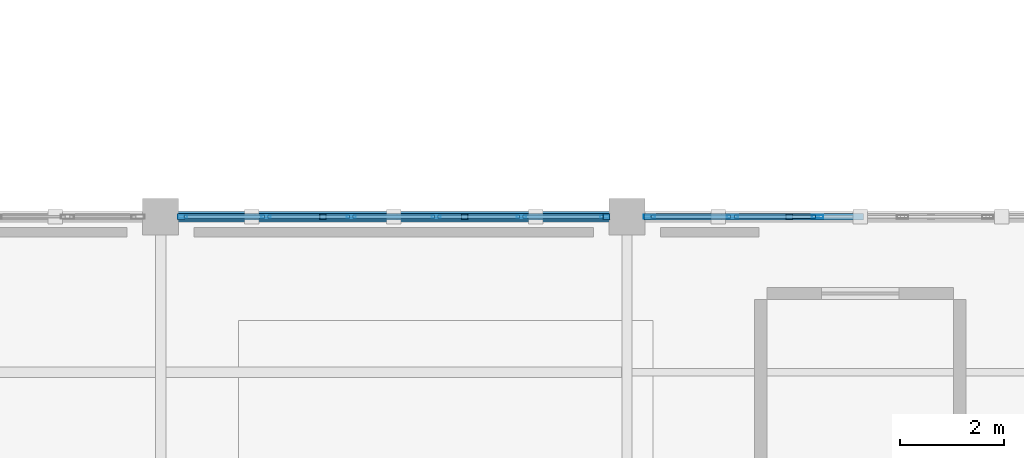
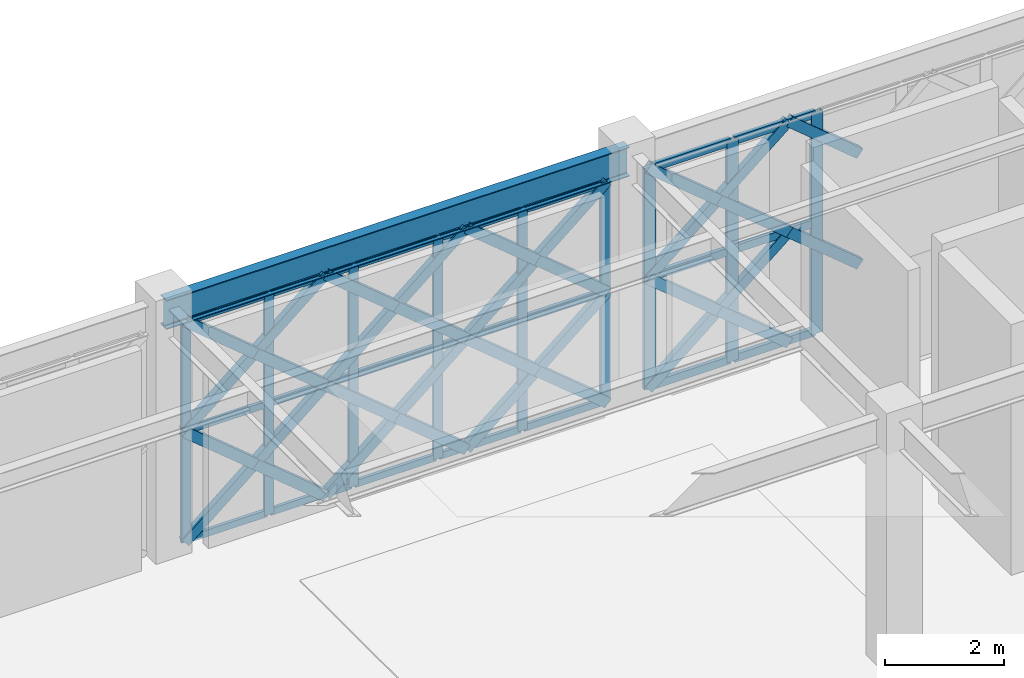
# One storey, part 15 of 72: 56 members, 1 beam, 2 elements without a shape of their own.
"""IFC4 building model written with IfcOpenShell, lengths in metres."""

from ifc_helpers import new_model, si_unit, direction, frame, origin, origin_2d, place, context, subcontext, project, spatial, hollow_rectangle, i_section, extrude, material, material_profile, profile_set, type_object, element, aggregate, save


model = new_model("IFC4")

# Units and contexts
model_context = context("Model", 3, precision=1e-05, world=origin(), true_north=direction((0.0, 1.0)))
body_context = subcontext(model_context, "Body", "Model", "MODEL_VIEW")
ifc_project = project(units=[si_unit("LENGTHUNIT", "METRE"), si_unit("AREAUNIT", "SQUARE_METRE"), si_unit("VOLUMEUNIT", "CUBIC_METRE"), si_unit("PLANEANGLEUNIT", "RADIAN"), si_unit("MASSUNIT", "GRAM", prefix="KILO")], contexts=[model_context])

# Site, building, storey
site_placement = place(None, origin())
site = spatial("IfcSite", under=ifc_project, at=site_placement, CompositionType="ELEMENT")
building_placement = place(site_placement, origin())
building = spatial("IfcBuilding", under=site, at=building_placement, Name="Haizhuo Lancet Aquarium", CompositionType="ELEMENT")
storey_placement = place(building_placement, frame((0.0, 0.0, 21.60009765625)))
storey = spatial("IfcBuildingStorey", under=building, at=storey_placement, Name="L04", CompositionType="ELEMENT", Elevation=21.60009765625)

# Beam
ifc_material_1 = material(Name="Steel S355", Category="steel")
ifc_material_profile_1 = material_profile(ifc_material_1, i_section(OverallWidth=0.199951171875, OverallDepth=0.60009765625, WebThickness=0.010986328125, FlangeThickness=0.01708984375, FilletRadius=0.02197265625, at=origin_2d()), Name="HN 600x200x11x17")
ifc_profile_set_1 = profile_set([ifc_material_profile_1], Name="Steel S355")
beam_type = type_object("IfcBeamType", Name="BM-ST-HN600", PredefinedType="BEAM", material=ifc_profile_set_1)
beam_placement = place(storey_placement, frame((-72.0, -9.0, 4.849853515625), z_axis=(1.0, 0.0, 0.0), x_axis=(0.0, 1.0, 0.0)))
element("IfcBeam", 1, at=beam_placement, inside=storey, type_object=beam_type, Name="L04 V6 primary girder BM-L04-V6-008", PredefinedType="BEAM", context=body_context, shape_type="SweptSolid", body=[
    extrude(i_section(OverallWidth=0.199951171875, OverallDepth=0.60009765625, WebThickness=0.010986328125, FlangeThickness=0.01708984375, FilletRadius=0.02197265625, at=origin_2d()), origin(), (0.0, 0.0, 1.0), 9.0),
])

# Curtain wall, members
ifc_material_2 = material(Name="Aluminium 6063-T6", Category="aluminium")
curtain_wall_type = type_object("IfcCurtainWallType", Name="CWO-8210x4550", PredefinedType="NOTDEFINED", material=ifc_material_2)
curtain_wall_1_placement = place(storey_placement, origin())
curtain_wall_1 = element("IfcCurtainWall", 2, at=curtain_wall_1_placement, inside=storey, type_object=curtain_wall_type, Name="L04 curtain wall CW-V6-L04-247", PredefinedType="NOTDEFINED")
ifc_material_profile_2 = material_profile(ifc_material_2, hollow_rectangle(XDim=0.06494140625, YDim=0.179931640625, WallThickness=0.00390625, at=origin_2d()), Name="ALU-M 65x180x4")
ifc_profile_set_2 = profile_set([ifc_material_profile_2], Name="Aluminium 6063-T6")
member_type_1 = type_object("IfcMemberType", Name="CW-MUL-1", PredefinedType="MULLION", material=ifc_profile_set_2)
member_1_placement = place(storey_placement, frame((-71.572998046875, -9.0, 0.0), z_axis=(0.0, 0.0, 1.0), x_axis=(0.0, 1.0, 0.0)))
member_1 = element("IfcMember", 3, at=member_1_placement, type_object=member_type_1, Name="CWO-82x45 mullion 1", PredefinedType="MULLION", context=body_context, shape_type="SweptSolid", body=[
    extrude(hollow_rectangle(XDim=0.06494140625, YDim=0.179931640625, WallThickness=0.00390625, at=origin_2d()), origin(), (0.0, 0.0, 1.0), 4.5498046875),
])
member_2_placement = place(storey_placement, frame((-69.962890625, -9.0, 0.0), z_axis=(0.0, 0.0, 1.0), x_axis=(0.0, 1.0, 0.0)))
member_2 = element("IfcMember", 4, at=member_2_placement, type_object=member_type_1, Name="CWO-82x45 mullion 2", PredefinedType="MULLION", context=body_context, shape_type="SweptSolid", body=[
    extrude(hollow_rectangle(XDim=0.06494140625, YDim=0.179931640625, WallThickness=0.00390625, at=origin_2d()), origin(), (0.0, 0.0, 1.0), 4.5498046875),
])
member_3_placement = place(storey_placement, frame((-68.321044921875, -9.0, 0.0), z_axis=(0.0, 0.0, 1.0), x_axis=(0.0, 1.0, 0.0)))
member_3 = element("IfcMember", 5, at=member_3_placement, type_object=member_type_1, Name="CWO-82x45 mullion 3", PredefinedType="MULLION", context=body_context, shape_type="SweptSolid", body=[
    extrude(hollow_rectangle(XDim=0.06494140625, YDim=0.179931640625, WallThickness=0.00390625, at=origin_2d()), origin(), (0.0, 0.0, 1.0), 4.5498046875),
])
member_4_placement = place(storey_placement, frame((-66.678955078125, -9.0, 0.0), z_axis=(0.0, 0.0, 1.0), x_axis=(0.0, 1.0, 0.0)))
member_4 = element("IfcMember", 6, at=member_4_placement, type_object=member_type_1, Name="CWO-82x45 mullion 4", PredefinedType="MULLION", context=body_context, shape_type="SweptSolid", body=[
    extrude(hollow_rectangle(XDim=0.06494140625, YDim=0.179931640625, WallThickness=0.00390625, at=origin_2d()), origin(), (0.0, 0.0, 1.0), 4.5498046875),
])
member_5_placement = place(storey_placement, frame((-65.037109375, -9.0, 0.0), z_axis=(0.0, 0.0, 1.0), x_axis=(0.0, 1.0, 0.0)))
member_5 = element("IfcMember", 7, at=member_5_placement, type_object=member_type_1, Name="CWO-82x45 mullion 5", PredefinedType="MULLION", context=body_context, shape_type="SweptSolid", body=[
    extrude(hollow_rectangle(XDim=0.06494140625, YDim=0.179931640625, WallThickness=0.00390625, at=origin_2d()), origin(), (0.0, 0.0, 1.0), 4.5498046875),
])
member_6_placement = place(storey_placement, frame((-63.427978515625, -9.0, 0.0), z_axis=(0.0, 0.0, 1.0), x_axis=(0.0, 1.0, 0.0)))
member_6 = element("IfcMember", 8, at=member_6_placement, type_object=member_type_1, Name="CWO-82x45 mullion 6", PredefinedType="MULLION", context=body_context, shape_type="SweptSolid", body=[
    extrude(hollow_rectangle(XDim=0.06494140625, YDim=0.179931640625, WallThickness=0.00390625, at=origin_2d()), origin(), (0.0, 0.0, 1.0), 4.5498046875),
])

curtain_wall_2_placement = place(storey_placement, origin())
curtain_wall_2 = element("IfcCurtainWall", 9, at=curtain_wall_2_placement, inside=storey, type_object=curtain_wall_type, Name="L04 curtain wall CW-V6-L04-248", PredefinedType="NOTDEFINED")
ifc_material_profile_3 = material_profile(ifc_material_2, hollow_rectangle(XDim=0.074951171875, YDim=0.219970703125, WallThickness=0.0048828125, at=origin_2d()), Name="ALU-M 75x220x5")
ifc_profile_set_3 = profile_set([ifc_material_profile_3], Name="Aluminium 6063-T6")
member_type_2 = type_object("IfcMemberType", Name="CW-MUL-2", PredefinedType="MULLION", material=ifc_profile_set_3)
member_7_placement = place(storey_placement, frame((-62.56689453125, -9.0, 0.0), z_axis=(0.0, 0.0, 1.0), x_axis=(0.0, 1.0, 0.0)))
member_7 = element("IfcMember", 10, at=member_7_placement, type_object=member_type_2, Name="CWO-82x45 mullion 1", PredefinedType="MULLION", context=body_context, shape_type="SweptSolid", body=[
    extrude(hollow_rectangle(XDim=0.074951171875, YDim=0.219970703125, WallThickness=0.0048828125, at=origin_2d()), origin(), (0.0, 0.0, 1.0), 4.5498046875),
])
member_8_placement = place(storey_placement, frame((-60.962890625, -9.0, 0.0), z_axis=(0.0, 0.0, 1.0), x_axis=(0.0, 1.0, 0.0)))
member_8 = element("IfcMember", 11, at=member_8_placement, type_object=member_type_2, Name="CWO-82x45 mullion 2", PredefinedType="MULLION", context=body_context, shape_type="SweptSolid", body=[
    extrude(hollow_rectangle(XDim=0.074951171875, YDim=0.219970703125, WallThickness=0.0048828125, at=origin_2d()), origin(), (0.0, 0.0, 1.0), 4.5498046875),
])
member_9_placement = place(storey_placement, frame((-59.321044921875, -9.0, 0.0), z_axis=(0.0, 0.0, 1.0), x_axis=(0.0, 1.0, 0.0)))
member_9 = element("IfcMember", 12, at=member_9_placement, type_object=member_type_2, Name="CWO-82x45 mullion 3", PredefinedType="MULLION", context=body_context, shape_type="SweptSolid", body=[
    extrude(hollow_rectangle(XDim=0.074951171875, YDim=0.219970703125, WallThickness=0.0048828125, at=origin_2d()), origin(), (0.0, 0.0, 1.0), 4.5498046875),
])

# Member
ifc_material_profile_4 = material_profile(ifc_material_2, hollow_rectangle(XDim=0.06494140625, YDim=0.139892578125, WallThickness=0.00390625, at=origin_2d()), Name="ALU-T 65x140x4")
ifc_profile_set_4 = profile_set([ifc_material_profile_4], Name="Aluminium 6063-T6")
member_type_3 = type_object("IfcMemberType", Name="CW-TRN-1", PredefinedType="NOTDEFINED", material=ifc_profile_set_4)
member_10_placement = place(storey_placement, frame((-71.5400390625, -9.0, 0.032958984375), z_axis=(1.0, 0.0, 0.0), x_axis=(0.0, 1.0, 0.0)))
member_10 = element("IfcMember", 13, at=member_10_placement, type_object=member_type_3, Name="CWO-82x45 transom 1.1", ObjectType="TRANSOM", PredefinedType="USERDEFINED", context=body_context, shape_type="SweptSolid", body=[
    extrude(hollow_rectangle(XDim=0.06494140625, YDim=0.139892578125, WallThickness=0.00390625, at=origin_2d()), origin(), (0.0, 0.0, 1.0), 1.5439453125),
])

member_11_placement = place(storey_placement, frame((-71.5400390625, -9.0, 2.27490234375), z_axis=(1.0, 0.0, 0.0), x_axis=(0.0, 1.0, 0.0)))
member_11 = element("IfcMember", 14, at=member_11_placement, type_object=member_type_3, Name="CWO-82x45 transom 1.2", ObjectType="TRANSOM", PredefinedType="USERDEFINED", context=body_context, shape_type="SweptSolid", body=[
    extrude(hollow_rectangle(XDim=0.06494140625, YDim=0.139892578125, WallThickness=0.00390625, at=origin_2d()), origin(), (0.0, 0.0, 1.0), 1.5439453125),
])

member_12_placement = place(storey_placement, frame((-71.5400390625, -9.0, 4.516845703125), z_axis=(1.0, 0.0, 0.0), x_axis=(0.0, 1.0, 0.0)))
member_12 = element("IfcMember", 15, at=member_12_placement, type_object=member_type_3, Name="CWO-82x45 transom 1.3", ObjectType="TRANSOM", PredefinedType="USERDEFINED", context=body_context, shape_type="SweptSolid", body=[
    extrude(hollow_rectangle(XDim=0.06494140625, YDim=0.139892578125, WallThickness=0.00390625, at=origin_2d()), origin(), (0.0, 0.0, 1.0), 1.5439453125),
])

member_13_placement = place(storey_placement, frame((-69.930908203125, -9.0, 0.032958984375), z_axis=(1.0, 0.0, 0.0), x_axis=(0.0, 1.0, 0.0)))
member_13 = element("IfcMember", 16, at=member_13_placement, type_object=member_type_3, Name="CWO-82x45 transom 2.1", ObjectType="TRANSOM", PredefinedType="USERDEFINED", context=body_context, shape_type="SweptSolid", body=[
    extrude(hollow_rectangle(XDim=0.06494140625, YDim=0.139892578125, WallThickness=0.00390625, at=origin_2d()), origin(), (0.0, 0.0, 1.0), 1.577880859375),
])

member_14_placement = place(storey_placement, frame((-69.930908203125, -9.0, 2.27490234375), z_axis=(1.0, 0.0, 0.0), x_axis=(0.0, 1.0, 0.0)))
member_14 = element("IfcMember", 17, at=member_14_placement, type_object=member_type_3, Name="CWO-82x45 transom 2.2", ObjectType="TRANSOM", PredefinedType="USERDEFINED", context=body_context, shape_type="SweptSolid", body=[
    extrude(hollow_rectangle(XDim=0.06494140625, YDim=0.139892578125, WallThickness=0.00390625, at=origin_2d()), origin(), (0.0, 0.0, 1.0), 1.577880859375),
])

member_15_placement = place(storey_placement, frame((-69.930908203125, -9.0, 4.516845703125), z_axis=(1.0, 0.0, 0.0), x_axis=(0.0, 1.0, 0.0)))
member_15 = element("IfcMember", 18, at=member_15_placement, type_object=member_type_3, Name="CWO-82x45 transom 2.3", ObjectType="TRANSOM", PredefinedType="USERDEFINED", context=body_context, shape_type="SweptSolid", body=[
    extrude(hollow_rectangle(XDim=0.06494140625, YDim=0.139892578125, WallThickness=0.00390625, at=origin_2d()), origin(), (0.0, 0.0, 1.0), 1.577880859375),
])

member_16_placement = place(storey_placement, frame((-68.2880859375, -9.0, 0.032958984375), z_axis=(1.0, 0.0, 0.0), x_axis=(0.0, 1.0, 0.0)))
member_16 = element("IfcMember", 19, at=member_16_placement, type_object=member_type_3, Name="CWO-82x45 transom 3.1", ObjectType="TRANSOM", PredefinedType="USERDEFINED", context=body_context, shape_type="SweptSolid", body=[
    extrude(hollow_rectangle(XDim=0.06494140625, YDim=0.139892578125, WallThickness=0.00390625, at=origin_2d()), origin(), (0.0, 0.0, 1.0), 1.576171875),
])

member_17_placement = place(storey_placement, frame((-68.2880859375, -9.0, 2.27490234375), z_axis=(1.0, 0.0, 0.0), x_axis=(0.0, 1.0, 0.0)))
member_17 = element("IfcMember", 20, at=member_17_placement, type_object=member_type_3, Name="CWO-82x45 transom 3.2", ObjectType="TRANSOM", PredefinedType="USERDEFINED", context=body_context, shape_type="SweptSolid", body=[
    extrude(hollow_rectangle(XDim=0.06494140625, YDim=0.139892578125, WallThickness=0.00390625, at=origin_2d()), origin(), (0.0, 0.0, 1.0), 1.576171875),
])

member_18_placement = place(storey_placement, frame((-68.2880859375, -9.0, 4.516845703125), z_axis=(1.0, 0.0, 0.0), x_axis=(0.0, 1.0, 0.0)))
member_18 = element("IfcMember", 21, at=member_18_placement, type_object=member_type_3, Name="CWO-82x45 transom 3.3", ObjectType="TRANSOM", PredefinedType="USERDEFINED", context=body_context, shape_type="SweptSolid", body=[
    extrude(hollow_rectangle(XDim=0.06494140625, YDim=0.139892578125, WallThickness=0.00390625, at=origin_2d()), origin(), (0.0, 0.0, 1.0), 1.576171875),
])

member_19_placement = place(storey_placement, frame((-66.64697265625, -9.0, 0.032958984375), z_axis=(1.0, 0.0, 0.0), x_axis=(0.0, 1.0, 0.0)))
member_19 = element("IfcMember", 22, at=member_19_placement, type_object=member_type_3, Name="CWO-82x45 transom 4.1", ObjectType="TRANSOM", PredefinedType="USERDEFINED", context=body_context, shape_type="SweptSolid", body=[
    extrude(hollow_rectangle(XDim=0.06494140625, YDim=0.139892578125, WallThickness=0.00390625, at=origin_2d()), origin(), (0.0, 0.0, 1.0), 1.576904296875),
])

member_20_placement = place(storey_placement, frame((-66.64697265625, -9.0, 2.27490234375), z_axis=(1.0, 0.0, 0.0), x_axis=(0.0, 1.0, 0.0)))
member_20 = element("IfcMember", 23, at=member_20_placement, type_object=member_type_3, Name="CWO-82x45 transom 4.2", ObjectType="TRANSOM", PredefinedType="USERDEFINED", context=body_context, shape_type="SweptSolid", body=[
    extrude(hollow_rectangle(XDim=0.06494140625, YDim=0.139892578125, WallThickness=0.00390625, at=origin_2d()), origin(), (0.0, 0.0, 1.0), 1.576904296875),
])

member_21_placement = place(storey_placement, frame((-66.64697265625, -9.0, 4.516845703125), z_axis=(1.0, 0.0, 0.0), x_axis=(0.0, 1.0, 0.0)))
member_21 = element("IfcMember", 24, at=member_21_placement, type_object=member_type_3, Name="CWO-82x45 transom 4.3", ObjectType="TRANSOM", PredefinedType="USERDEFINED", context=body_context, shape_type="SweptSolid", body=[
    extrude(hollow_rectangle(XDim=0.06494140625, YDim=0.139892578125, WallThickness=0.00390625, at=origin_2d()), origin(), (0.0, 0.0, 1.0), 1.576904296875),
])

member_22_placement = place(storey_placement, frame((-65.0048828125, -9.0, 0.032958984375), z_axis=(1.0, 0.0, 0.0), x_axis=(0.0, 1.0, 0.0)))
member_22 = element("IfcMember", 25, at=member_22_placement, type_object=member_type_3, Name="CWO-82x45 transom 5.1", ObjectType="TRANSOM", PredefinedType="USERDEFINED", context=body_context, shape_type="SweptSolid", body=[
    extrude(hollow_rectangle(XDim=0.06494140625, YDim=0.139892578125, WallThickness=0.00390625, at=origin_2d()), origin(), (0.0, 0.0, 1.0), 1.544921875),
])

member_23_placement = place(storey_placement, frame((-65.0048828125, -9.0, 2.27490234375), z_axis=(1.0, 0.0, 0.0), x_axis=(0.0, 1.0, 0.0)))
member_23 = element("IfcMember", 26, at=member_23_placement, type_object=member_type_3, Name="CWO-82x45 transom 5.2", ObjectType="TRANSOM", PredefinedType="USERDEFINED", context=body_context, shape_type="SweptSolid", body=[
    extrude(hollow_rectangle(XDim=0.06494140625, YDim=0.139892578125, WallThickness=0.00390625, at=origin_2d()), origin(), (0.0, 0.0, 1.0), 1.544921875),
])

member_24_placement = place(storey_placement, frame((-65.0048828125, -9.0, 4.516845703125), z_axis=(1.0, 0.0, 0.0), x_axis=(0.0, 1.0, 0.0)))
member_24 = element("IfcMember", 27, at=member_24_placement, type_object=member_type_3, Name="CWO-82x45 transom 5.3", ObjectType="TRANSOM", PredefinedType="USERDEFINED", context=body_context, shape_type="SweptSolid", body=[
    extrude(hollow_rectangle(XDim=0.06494140625, YDim=0.139892578125, WallThickness=0.00390625, at=origin_2d()), origin(), (0.0, 0.0, 1.0), 1.544921875),
])

aggregate(curtain_wall_1, [member_1, member_2, member_3, member_4, member_5, member_6, member_10, member_11, member_12, member_13, member_14, member_15, member_16, member_17, member_18, member_19, member_20, member_21, member_22, member_23, member_24])

ifc_material_profile_5 = material_profile(ifc_material_2, hollow_rectangle(XDim=0.074951171875, YDim=0.159912109375, WallThickness=0.00390625, at=origin_2d()), Name="ALU-T 75x160x4")
ifc_profile_set_5 = profile_set([ifc_material_profile_5], Name="Aluminium 6063-T6")
member_type_4 = type_object("IfcMemberType", Name="CW-TRN-2", PredefinedType="NOTDEFINED", material=ifc_profile_set_5)
member_25_placement = place(storey_placement, frame((-62.530029296875, -9.0, 0.037841796875), z_axis=(1.0, 0.0, 0.0), x_axis=(0.0, 1.0, 0.0)))
member_25 = element("IfcMember", 28, at=member_25_placement, type_object=member_type_4, Name="CWO-82x45 transom 1.1", ObjectType="TRANSOM", PredefinedType="USERDEFINED", context=body_context, shape_type="SweptSolid", body=[
    extrude(hollow_rectangle(XDim=0.074951171875, YDim=0.159912109375, WallThickness=0.00390625, at=origin_2d()), origin(), (0.0, 0.0, 1.0), 1.530029296875),
])

member_26_placement = place(storey_placement, frame((-62.530029296875, -9.0, 2.27490234375), z_axis=(1.0, 0.0, 0.0), x_axis=(0.0, 1.0, 0.0)))
member_26 = element("IfcMember", 29, at=member_26_placement, type_object=member_type_4, Name="CWO-82x45 transom 1.2", ObjectType="TRANSOM", PredefinedType="USERDEFINED", context=body_context, shape_type="SweptSolid", body=[
    extrude(hollow_rectangle(XDim=0.074951171875, YDim=0.159912109375, WallThickness=0.00390625, at=origin_2d()), origin(), (0.0, 0.0, 1.0), 1.530029296875),
])

member_27_placement = place(storey_placement, frame((-62.530029296875, -9.0, 4.511962890625), z_axis=(1.0, 0.0, 0.0), x_axis=(0.0, 1.0, 0.0)))
member_27 = element("IfcMember", 30, at=member_27_placement, type_object=member_type_4, Name="CWO-82x45 transom 1.3", ObjectType="TRANSOM", PredefinedType="USERDEFINED", context=body_context, shape_type="SweptSolid", body=[
    extrude(hollow_rectangle(XDim=0.074951171875, YDim=0.159912109375, WallThickness=0.00390625, at=origin_2d()), origin(), (0.0, 0.0, 1.0), 1.530029296875),
])

member_28_placement = place(storey_placement, frame((-60.925048828125, -9.0, 0.037841796875), z_axis=(1.0, 0.0, 0.0), x_axis=(0.0, 1.0, 0.0)))
member_28 = element("IfcMember", 31, at=member_28_placement, type_object=member_type_4, Name="CWO-82x45 transom 2.1", ObjectType="TRANSOM", PredefinedType="USERDEFINED", context=body_context, shape_type="SweptSolid", body=[
    extrude(hollow_rectangle(XDim=0.074951171875, YDim=0.159912109375, WallThickness=0.00390625, at=origin_2d()), origin(), (0.0, 0.0, 1.0), 1.567138671875),
])

member_29_placement = place(storey_placement, frame((-60.925048828125, -9.0, 2.27490234375), z_axis=(1.0, 0.0, 0.0), x_axis=(0.0, 1.0, 0.0)))
member_29 = element("IfcMember", 32, at=member_29_placement, type_object=member_type_4, Name="CWO-82x45 transom 2.2", ObjectType="TRANSOM", PredefinedType="USERDEFINED", context=body_context, shape_type="SweptSolid", body=[
    extrude(hollow_rectangle(XDim=0.074951171875, YDim=0.159912109375, WallThickness=0.00390625, at=origin_2d()), origin(), (0.0, 0.0, 1.0), 1.567138671875),
])

member_30_placement = place(storey_placement, frame((-60.925048828125, -9.0, 4.511962890625), z_axis=(1.0, 0.0, 0.0), x_axis=(0.0, 1.0, 0.0)))
member_30 = element("IfcMember", 33, at=member_30_placement, type_object=member_type_4, Name="CWO-82x45 transom 2.3", ObjectType="TRANSOM", PredefinedType="USERDEFINED", context=body_context, shape_type="SweptSolid", body=[
    extrude(hollow_rectangle(XDim=0.074951171875, YDim=0.159912109375, WallThickness=0.00390625, at=origin_2d()), origin(), (0.0, 0.0, 1.0), 1.567138671875),
])

aggregate(curtain_wall_2, [member_7, member_8, member_9, member_25, member_26, member_27, member_28, member_29, member_30])

# Members
ifc_material_profile_6 = material_profile(ifc_material_1, hollow_rectangle(XDim=0.1201171875, YDim=0.199951171875, WallThickness=0.008056640625, at=origin_2d()), Name="RHS 120x200x8")
ifc_profile_set_6 = profile_set([ifc_material_profile_6], Name="Steel S355")
member_type_5 = type_object("IfcMemberType", Name="MEM-LB-RHS120x200", PredefinedType="BRACE", material=ifc_profile_set_6)
member_31_placement = place(storey_placement, frame((-71.60498046875, -9.0, 0.0), z_axis=(0.769047183609, 0.0, 0.639192012922), x_axis=(0.0, 1.0, 0.0)))
element("IfcMember", 34, at=member_31_placement, inside=storey, type_object=member_type_5, Name="Gothic lancet continuous diagonal brace CW-V6-L04-247 1A", PredefinedType="BRACE", context=body_context, shape_type="SweptSolid", body=[
    extrude(hollow_rectangle(XDim=0.1201171875, YDim=0.199951171875, WallThickness=0.008056640625, at=origin_2d()), origin(), (0.0, 0.0, 1.0), 3.55908203125),
])
member_32_placement = place(storey_placement, frame((-68.867919921875, -9.0, 0.0), z_axis=(-0.769052432892, 0.0, 0.639185697167), x_axis=(0.0, -1.0, 0.0)))
element("IfcMember", 35, at=member_32_placement, inside=storey, type_object=member_type_5, Name="Gothic lancet split diagonal brace CW-V6-L04-247 1B1", PredefinedType="BRACE", context=body_context, shape_type="SweptSolid", body=[
    extrude(hollow_rectangle(XDim=0.1201171875, YDim=0.199951171875, WallThickness=0.008056640625, at=origin_2d()), origin(), (0.0, 0.0, 1.0), 1.7802734375),
])
member_33_placement = place(storey_placement, frame((-70.237060546875, -9.0, 1.137939453125), z_axis=(-0.769041929661, 0.0, 0.639198334184), x_axis=(0.0, -1.0, 0.0)))
element("IfcMember", 36, at=member_33_placement, inside=storey, type_object=member_type_5, Name="Gothic lancet split diagonal brace CW-V6-L04-247 1B2", PredefinedType="BRACE", context=body_context, shape_type="SweptSolid", body=[
    extrude(hollow_rectangle(XDim=0.1201171875, YDim=0.199951171875, WallThickness=0.008056640625, at=origin_2d()), origin(), (0.0, 0.0, 1.0), 1.77880859375),
])
member_34_placement = place(storey_placement, frame((-71.60498046875, -9.0, 2.27490234375), z_axis=(0.769047183609, 0.0, 0.639192012922), x_axis=(0.0, 1.0, 0.0)))
element("IfcMember", 37, at=member_34_placement, inside=storey, type_object=member_type_5, Name="Gothic lancet continuous diagonal brace CW-V6-L04-247 2A", PredefinedType="BRACE", context=body_context, shape_type="SweptSolid", body=[
    extrude(hollow_rectangle(XDim=0.1201171875, YDim=0.199951171875, WallThickness=0.008056640625, at=origin_2d()), origin(), (0.0, 0.0, 1.0), 3.55908203125),
])
member_35_placement = place(storey_placement, frame((-68.867919921875, -9.0, 2.27490234375), z_axis=(-0.769322103073, 0.0, 0.638861097363), x_axis=(0.0, -1.0, 0.0)))
element("IfcMember", 38, at=member_35_placement, inside=storey, type_object=member_type_5, Name="Gothic lancet split diagonal brace CW-V6-L04-247 2B1", PredefinedType="BRACE", context=body_context, shape_type="SweptSolid", body=[
    extrude(hollow_rectangle(XDim=0.1201171875, YDim=0.199951171875, WallThickness=0.008056640625, at=origin_2d()), origin(), (0.0, 0.0, 1.0), 1.77978515625),
])
member_36_placement = place(storey_placement, frame((-70.237060546875, -9.0, 3.411865234375), z_axis=(-0.768772073165, 0.0, 0.639522868646), x_axis=(0.0, -1.0, 0.0)))
element("IfcMember", 39, at=member_36_placement, inside=storey, type_object=member_type_5, Name="Gothic lancet split diagonal brace CW-V6-L04-247 2B2", PredefinedType="BRACE", context=body_context, shape_type="SweptSolid", body=[
    extrude(hollow_rectangle(XDim=0.1201171875, YDim=0.199951171875, WallThickness=0.008056640625, at=origin_2d()), origin(), (0.0, 0.0, 1.0), 1.779296875),
])
member_37_placement = place(storey_placement, frame((-68.867919921875, -9.0, 0.0), z_axis=(0.768906994858, 0.0, 0.639360644127), x_axis=(0.0, 1.0, 0.0)))
element("IfcMember", 40, at=member_37_placement, inside=storey, type_object=member_type_5, Name="Gothic lancet continuous diagonal brace CW-V6-L04-247 3A", PredefinedType="BRACE", context=body_context, shape_type="SweptSolid", body=[
    extrude(hollow_rectangle(XDim=0.1201171875, YDim=0.199951171875, WallThickness=0.008056640625, at=origin_2d()), origin(), (0.0, 0.0, 1.0), 3.55810546875),
])
member_38_placement = place(storey_placement, frame((-66.132080078125, -9.0, 0.0), z_axis=(-0.768772073165, 0.0, 0.639522868646), x_axis=(0.0, -1.0, 0.0)))
element("IfcMember", 41, at=member_38_placement, inside=storey, type_object=member_type_5, Name="Gothic lancet split diagonal brace CW-V6-L04-247 3B1", PredefinedType="BRACE", context=body_context, shape_type="SweptSolid", body=[
    extrude(hollow_rectangle(XDim=0.1201171875, YDim=0.199951171875, WallThickness=0.008056640625, at=origin_2d()), origin(), (0.0, 0.0, 1.0), 1.779296875),
])
member_39_placement = place(storey_placement, frame((-67.5, -9.0, 1.137939453125), z_axis=(-0.769041929661, 0.0, 0.639198334184), x_axis=(0.0, -1.0, 0.0)))
element("IfcMember", 42, at=member_39_placement, inside=storey, type_object=member_type_5, Name="Gothic lancet split diagonal brace CW-V6-L04-247 3B2", PredefinedType="BRACE", context=body_context, shape_type="SweptSolid", body=[
    extrude(hollow_rectangle(XDim=0.1201171875, YDim=0.199951171875, WallThickness=0.008056640625, at=origin_2d()), origin(), (0.0, 0.0, 1.0), 1.77880859375),
])
member_40_placement = place(storey_placement, frame((-68.867919921875, -9.0, 2.27490234375), z_axis=(0.768906994858, 0.0, 0.639360644127), x_axis=(0.0, 1.0, 0.0)))
element("IfcMember", 43, at=member_40_placement, inside=storey, type_object=member_type_5, Name="Gothic lancet continuous diagonal brace CW-V6-L04-247 4A", PredefinedType="BRACE", context=body_context, shape_type="SweptSolid", body=[
    extrude(hollow_rectangle(XDim=0.1201171875, YDim=0.199951171875, WallThickness=0.008056640625, at=origin_2d()), origin(), (0.0, 0.0, 1.0), 3.55810546875),
])
member_41_placement = place(storey_placement, frame((-66.132080078125, -9.0, 2.27490234375), z_axis=(-0.769041929661, 0.0, 0.639198334184), x_axis=(0.0, -1.0, 0.0)))
element("IfcMember", 44, at=member_41_placement, inside=storey, type_object=member_type_5, Name="Gothic lancet split diagonal brace CW-V6-L04-247 4B1", PredefinedType="BRACE", context=body_context, shape_type="SweptSolid", body=[
    extrude(hollow_rectangle(XDim=0.1201171875, YDim=0.199951171875, WallThickness=0.008056640625, at=origin_2d()), origin(), (0.0, 0.0, 1.0), 1.77880859375),
])
member_42_placement = place(storey_placement, frame((-67.5, -9.0, 3.411865234375), z_axis=(-0.768772073165, 0.0, 0.639522868646), x_axis=(0.0, -1.0, 0.0)))
element("IfcMember", 45, at=member_42_placement, inside=storey, type_object=member_type_5, Name="Gothic lancet split diagonal brace CW-V6-L04-247 4B2", PredefinedType="BRACE", context=body_context, shape_type="SweptSolid", body=[
    extrude(hollow_rectangle(XDim=0.1201171875, YDim=0.199951171875, WallThickness=0.008056640625, at=origin_2d()), origin(), (0.0, 0.0, 1.0), 1.779296875),
])
member_43_placement = place(storey_placement, frame((-66.132080078125, -9.0, 0.0), z_axis=(0.769047183609, 0.0, 0.639192012922), x_axis=(0.0, 1.0, 0.0)))
element("IfcMember", 46, at=member_43_placement, inside=storey, type_object=member_type_5, Name="Gothic lancet continuous diagonal brace CW-V6-L04-247 5A", PredefinedType="BRACE", context=body_context, shape_type="SweptSolid", body=[
    extrude(hollow_rectangle(XDim=0.1201171875, YDim=0.199951171875, WallThickness=0.008056640625, at=origin_2d()), origin(), (0.0, 0.0, 1.0), 3.55908203125),
])
member_44_placement = place(storey_placement, frame((-63.39501953125, -9.0, 0.0), z_axis=(-0.768996396425, 0.0, 0.639253112848), x_axis=(0.0, -1.0, 0.0)))
element("IfcMember", 47, at=member_44_placement, inside=storey, type_object=member_type_5, Name="Gothic lancet split diagonal brace CW-V6-L04-247 5B1", PredefinedType="BRACE", context=body_context, shape_type="SweptSolid", body=[
    extrude(hollow_rectangle(XDim=0.1201171875, YDim=0.199951171875, WallThickness=0.008056640625, at=origin_2d()), origin(), (0.0, 0.0, 1.0), 1.780029296875),
])
member_45_placement = place(storey_placement, frame((-64.763916015625, -9.0, 1.137939453125), z_axis=(-0.769097999835, 0.0, 0.639130868171), x_axis=(0.0, -1.0, 0.0)))
element("IfcMember", 48, at=member_45_placement, inside=storey, type_object=member_type_5, Name="Gothic lancet split diagonal brace CW-V6-L04-247 5B2", PredefinedType="BRACE", context=body_context, shape_type="SweptSolid", body=[
    extrude(hollow_rectangle(XDim=0.1201171875, YDim=0.199951171875, WallThickness=0.008056640625, at=origin_2d()), origin(), (0.0, 0.0, 1.0), 1.77880859375),
])
member_46_placement = place(storey_placement, frame((-66.132080078125, -9.0, 2.27490234375), z_axis=(0.769047183609, 0.0, 0.639192012922), x_axis=(0.0, 1.0, 0.0)))
element("IfcMember", 49, at=member_46_placement, inside=storey, type_object=member_type_5, Name="Gothic lancet continuous diagonal brace CW-V6-L04-247 6A", PredefinedType="BRACE", context=body_context, shape_type="SweptSolid", body=[
    extrude(hollow_rectangle(XDim=0.1201171875, YDim=0.199951171875, WallThickness=0.008056640625, at=origin_2d()), origin(), (0.0, 0.0, 1.0), 3.55908203125),
])
for number, where, z_axis, x_axis, name in (
    (50, (-63.39501953125, -9.0, 2.27490234375), (-0.76926610387, 0.0, 0.638928526078), (0.0, -1.0, 0.0), "Gothic lancet split diagonal brace CW-V6-L04-247 6B1"),
    (51, (-64.763916015625, -9.0, 3.411865234375), (-0.768828180601, 0.0, 0.639455415736), (0.0, -1.0, 0.0), "Gothic lancet split diagonal brace CW-V6-L04-247 6B2"),
):
    element("IfcMember", number, at=place(storey_placement, frame(where, z_axis=z_axis, x_axis=x_axis)), inside=storey, type_object=member_type_5, Name=name, PredefinedType="BRACE", context=body_context, shape_type="SweptSolid", body=[
        extrude(hollow_rectangle(XDim=0.1201171875, YDim=0.199951171875, WallThickness=0.008056640625, at=origin_2d()), origin(), (0.0, 0.0, 1.0), 1.779541015625),
    ])
member_47_placement = place(storey_placement, frame((-62.60498046875, -9.0, 0.0), z_axis=(0.769047183609, 0.0, 0.639192012922), x_axis=(0.0, 1.0, 0.0)))
element("IfcMember", 52, at=member_47_placement, inside=storey, type_object=member_type_5, Name="Gothic lancet continuous diagonal brace CW-V6-L04-248 1A", PredefinedType="BRACE", context=body_context, shape_type="SweptSolid", body=[
    extrude(hollow_rectangle(XDim=0.1201171875, YDim=0.199951171875, WallThickness=0.008056640625, at=origin_2d()), origin(), (0.0, 0.0, 1.0), 3.55908203125),
])
for number, where, z_axis, x_axis, name in (
    (53, (-59.867919921875, -9.0, 0.0), (-0.768828180601, 0.0, 0.639455415736), (0.0, -1.0, 0.0), "Gothic lancet split diagonal brace CW-V6-L04-248 1B1"),
    (54, (-61.236083984375, -9.0, 1.137939453125), (-0.76926610387, 0.0, 0.638928526078), (0.0, -1.0, 0.0), "Gothic lancet split diagonal brace CW-V6-L04-248 1B2"),
):
    element("IfcMember", number, at=place(storey_placement, frame(where, z_axis=z_axis, x_axis=x_axis)), inside=storey, type_object=member_type_5, Name=name, PredefinedType="BRACE", context=body_context, shape_type="SweptSolid", body=[
        extrude(hollow_rectangle(XDim=0.1201171875, YDim=0.199951171875, WallThickness=0.008056640625, at=origin_2d()), origin(), (0.0, 0.0, 1.0), 1.779541015625),
    ])
member_48_placement = place(storey_placement, frame((-62.60498046875, -9.0, 2.27490234375), z_axis=(0.769047183609, 0.0, 0.639192012922), x_axis=(0.0, 1.0, 0.0)))
element("IfcMember", 55, at=member_48_placement, inside=storey, type_object=member_type_5, Name="Gothic lancet continuous diagonal brace CW-V6-L04-248 2A", PredefinedType="BRACE", context=body_context, shape_type="SweptSolid", body=[
    extrude(hollow_rectangle(XDim=0.1201171875, YDim=0.199951171875, WallThickness=0.008056640625, at=origin_2d()), origin(), (0.0, 0.0, 1.0), 3.55908203125),
])
member_49_placement = place(storey_placement, frame((-59.867919921875, -9.0, 2.27490234375), z_axis=(-0.769097999835, 0.0, 0.639130868171), x_axis=(0.0, -1.0, 0.0)))
element("IfcMember", 56, at=member_49_placement, inside=storey, type_object=member_type_5, Name="Gothic lancet split diagonal brace CW-V6-L04-248 2B1", PredefinedType="BRACE", context=body_context, shape_type="SweptSolid", body=[
    extrude(hollow_rectangle(XDim=0.1201171875, YDim=0.199951171875, WallThickness=0.008056640625, at=origin_2d()), origin(), (0.0, 0.0, 1.0), 1.77880859375),
])
member_50_placement = place(storey_placement, frame((-61.236083984375, -9.0, 3.411865234375), z_axis=(-0.768996396425, 0.0, 0.639253112848), x_axis=(0.0, -1.0, 0.0)))
element("IfcMember", 57, at=member_50_placement, inside=storey, type_object=member_type_5, Name="Gothic lancet split diagonal brace CW-V6-L04-248 2B2", PredefinedType="BRACE", context=body_context, shape_type="SweptSolid", body=[
    extrude(hollow_rectangle(XDim=0.1201171875, YDim=0.199951171875, WallThickness=0.008056640625, at=origin_2d()), origin(), (0.0, 0.0, 1.0), 1.780029296875),
])
member_51_placement = place(storey_placement, frame((-58.5, -9.0, 1.137939453125), z_axis=(-0.769041929661, 0.0, 0.639198334184), x_axis=(0.0, -1.0, 0.0)))
element("IfcMember", 58, at=member_51_placement, inside=storey, type_object=member_type_5, Name="Gothic lancet split diagonal brace CW-V6-L04-248 3B2", PredefinedType="BRACE", context=body_context, shape_type="SweptSolid", body=[
    extrude(hollow_rectangle(XDim=0.1201171875, YDim=0.199951171875, WallThickness=0.008056640625, at=origin_2d()), origin(), (0.0, 0.0, 1.0), 1.77880859375),
])
member_52_placement = place(storey_placement, frame((-58.5, -9.0, 3.411865234375), z_axis=(-0.768772073165, 0.0, 0.639522868646), x_axis=(0.0, -1.0, 0.0)))
element("IfcMember", 59, at=member_52_placement, inside=storey, type_object=member_type_5, Name="Gothic lancet split diagonal brace CW-V6-L04-248 4B2", PredefinedType="BRACE", context=body_context, shape_type="SweptSolid", body=[
    extrude(hollow_rectangle(XDim=0.1201171875, YDim=0.199951171875, WallThickness=0.008056640625, at=origin_2d()), origin(), (0.0, 0.0, 1.0), 1.779296875),
])

save(model, "model.ifc")
